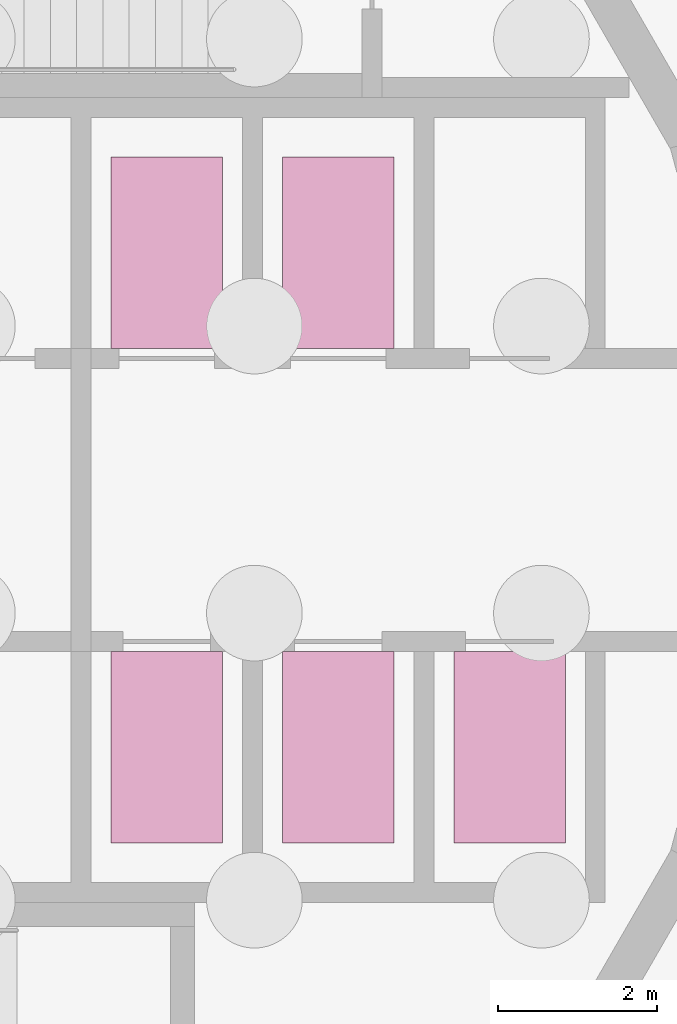
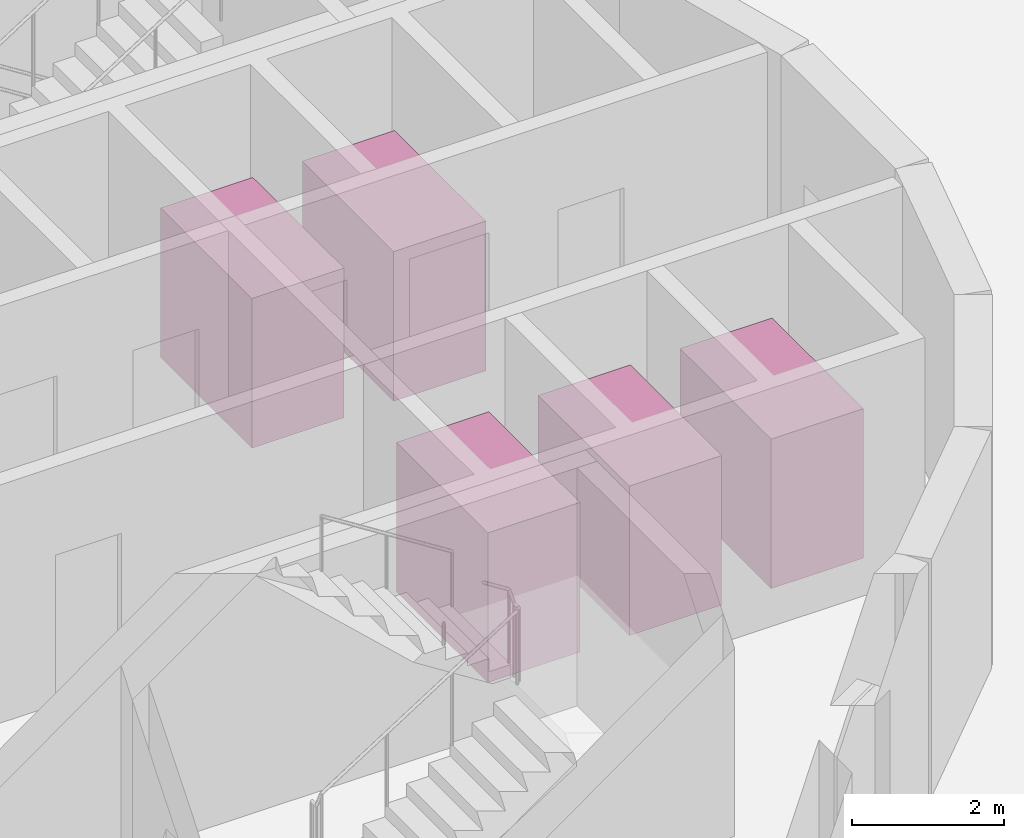
# One storey, part 11 of 11: 5 transport elements.
"""IFC4 building model written with IfcOpenShell, lengths in metres."""

from ifc_helpers import new_model, si_unit, direction, frame, origin, origin_2d, place, context, subcontext, project, spatial, rectangle, extrude, material, type_object, element, save


model = new_model("IFC4")

# Units and contexts
model_context = context("Model", 3, precision=1e-05, world=origin(), true_north=direction((0.0, 1.0)))
body_context = subcontext(model_context, "Body", "Model", "MODEL_VIEW")
ifc_project = project(units=[si_unit("LENGTHUNIT", "METRE"), si_unit("AREAUNIT", "SQUARE_METRE"), si_unit("VOLUMEUNIT", "CUBIC_METRE"), si_unit("PLANEANGLEUNIT", "RADIAN"), si_unit("MASSUNIT", "GRAM", prefix="KILO")], contexts=[model_context])

# Site, building, storey
site_placement = place(None, origin())
site = spatial("IfcSite", under=ifc_project, at=site_placement, CompositionType="ELEMENT")
building_placement = place(site_placement, origin())
building = spatial("IfcBuilding", under=site, at=building_placement, Name="Spindle Arch Residences", CompositionType="ELEMENT")
storey_placement = place(building_placement, frame((0.0, 0.0, -8.39990234375)))
storey = spatial("IfcBuildingStorey", under=building, at=storey_placement, Name="B2", CompositionType="ELEMENT", Elevation=-8.39990234375)

# Transport elements
ifc_material_1 = material(Name="Stainless steel", Category="steel")
transport_element_type_1 = type_object("IfcTransportElementType", Name="Fire-fighting lift car 1400x2400", PredefinedType="ELEVATOR", material=ifc_material_1)
for number, where, z_axis, x_axis, name in (
    (1, (4.300048828125, -3.10009765625, 0.0), (0.0, 0.0, 1.0), (1.0, 0.0, 0.0), "Fire-fighting lift FL1"),
    (2, (6.449951171875, -3.10009765625, 0.0), (0.0, 0.0, 1.0), (1.0, 0.0, 0.0), "Fire-fighting lift FL2"),
    (3, (8.60009765625, -3.10009765625, 0.0), (0.0, 0.0, 1.0), (1.0, 0.0, 0.0), "Fire-fighting lift FL3"),
):
    element("IfcTransportElement", number, at=place(storey_placement, frame(where, z_axis=z_axis, x_axis=x_axis)), inside=storey, type_object=transport_element_type_1, Name=name, PredefinedType="ELEVATOR", context=body_context, shape_type="SweptSolid", body=[
        extrude(rectangle(XDim=1.39990234375, YDim=2.39990234375, at=origin_2d()), origin(), (0.0, 0.0, 1.0), 2.39990234375),
    ])
ifc_material_2 = material(Name="Stainless steel", Category="steel")
transport_element_type_2 = type_object("IfcTransportElementType", Name="Service lift car 1400x2400", PredefinedType="ELEVATOR", material=ifc_material_2)
for number, where, z_axis, x_axis, name in (
    (4, (4.300048828125, 3.10009765625, 0.0), (0.0, 0.0, 1.0), (1.0, 0.0, 0.0), "Service lift SL1"),
    (5, (6.449951171875, 3.10009765625, 0.0), (0.0, 0.0, 1.0), (1.0, 0.0, 0.0), "Service lift SL2"),
):
    element("IfcTransportElement", number, at=place(storey_placement, frame(where, z_axis=z_axis, x_axis=x_axis)), inside=storey, type_object=transport_element_type_2, Name=name, PredefinedType="ELEVATOR", context=body_context, shape_type="SweptSolid", body=[
        extrude(rectangle(XDim=1.39990234375, YDim=2.39990234375, at=origin_2d()), origin(), (0.0, 0.0, 1.0), 2.39990234375),
    ])

save(model, "model.ifc")
